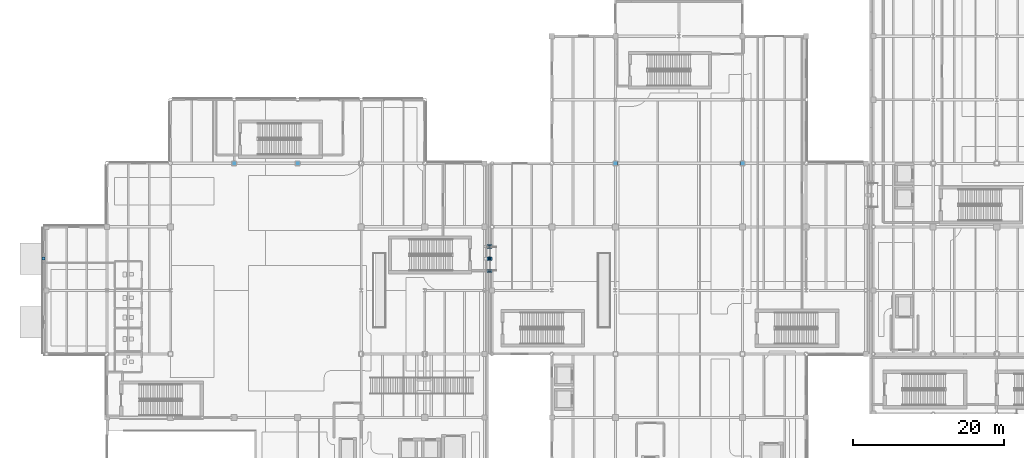
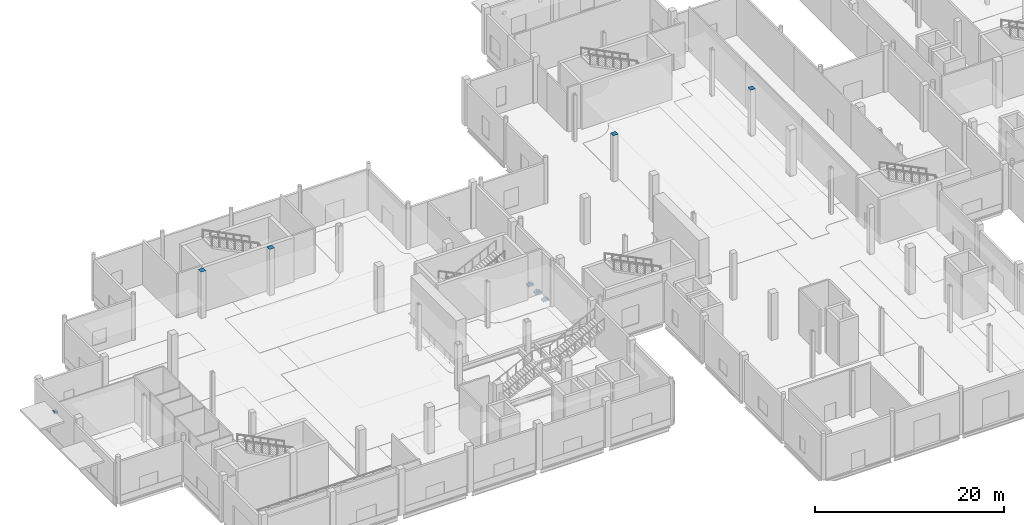
# One storey, part 58 of 85: 11 discrete accessories.
"""IFC4 building model written with IfcOpenShell, lengths in metres."""

from ifc_helpers import new_model, si_unit, direction, frame, origin, origin_2d, place, context, subcontext, project, spatial, rectangle, extrude, material, type_object, element, save


model = new_model("IFC4")

# Units and contexts
model_context = context("Model", 3, precision=1e-05, world=origin(), true_north=direction((0.0, 1.0)))
body_context = subcontext(model_context, "Body", "Model", "MODEL_VIEW")
ifc_project = project(units=[si_unit("LENGTHUNIT", "METRE"), si_unit("AREAUNIT", "SQUARE_METRE"), si_unit("VOLUMEUNIT", "CUBIC_METRE"), si_unit("PLANEANGLEUNIT", "RADIAN"), si_unit("MASSUNIT", "GRAM", prefix="KILO"), si_unit("THERMODYNAMICTEMPERATUREUNIT", "KELVIN")], contexts=[model_context])

# Site, building, storey
site_placement = place(None, origin())
site = spatial("IfcSite", under=ifc_project, at=site_placement, CompositionType="ELEMENT")
building_placement = place(site_placement, origin())
building = spatial("IfcBuilding", under=site, at=building_placement, Name="Lustrewick Department Store", CompositionType="ELEMENT")
storey_placement = place(building_placement, origin())
storey = spatial("IfcBuildingStorey", under=building, at=storey_placement, Name="L01", CompositionType="ELEMENT", Elevation=0.0)

# Discrete accessories
ifc_material_1 = material(Name="Anodized filigree aluminium 6061-T6", Category="aluminium")
discrete_accessory_type_1 = type_object("IfcDiscreteAccessoryType", Name="BRK-FIL", PredefinedType="BRACKET", material=ifc_material_1)
discrete_accessory_placement = place(storey_placement, frame((0.0, 71.39990234375, 4.0), z_axis=(0.0, 0.0, 1.0), x_axis=(0.0, 1.0, 0.0)))
element("IfcDiscreteAccessory", 1, at=discrete_accessory_placement, inside=storey, type_object=discrete_accessory_type_1, Name="L01 Marquise Anchor Bracket 06", PredefinedType="BRACKET", context=body_context, shape_type="SweptSolid", body=[
    extrude(rectangle(XDim=0.39990234375, YDim=0.39990234375, at=origin_2d()), origin(), (0.0, 0.0, 1.0), 0.300048828125),
])
ifc_material_2 = material(Name="Structural steel Q355C", Category="steel")
discrete_accessory_type_2 = type_object("IfcDiscreteAccessoryType", Name="SB-CORBEL", PredefinedType="BRACKET", material=ifc_material_2)
for number, where, z_axis, x_axis, name in (
    (2, (58.949951171875, 69.800048828125, -1.11279296875), (0.0, 0.0, 1.0), (1.0, 0.0, 0.0), "L01 Skybridge SB12 700 mm Bearing Seat Corbel 1"),
    (3, (58.949951171875, 71.39990234375, -1.11279296875), (0.0, 0.0, 1.0), (1.0, 0.0, 0.0), "L01 Skybridge SB12 700 mm Bearing Seat Corbel 2"),
    (4, (58.949951171875, 73.0, -1.11279296875), (0.0, 0.0, 1.0), (1.0, 0.0, 0.0), "L01 Skybridge SB12 700 mm Bearing Seat Corbel 3"),
):
    element("IfcDiscreteAccessory", number, at=place(storey_placement, frame(where, z_axis=z_axis, x_axis=x_axis)), inside=storey, type_object=discrete_accessory_type_2, Name=name, PredefinedType="BRACKET", context=body_context, shape_type="SweptSolid", body=[
        extrude(rectangle(XDim=0.699951171875, YDim=0.47998046875, at=origin_2d()), origin(), (0.0, 0.0, 1.0), 0.219970703125),
    ])
discrete_accessory_type_3 = type_object("IfcDiscreteAccessoryType", Name="SB-PTFE", PredefinedType="BRACKET", material=ifc_material_2)
for number, where, z_axis, x_axis, name in (
    (5, (58.949951171875, 69.800048828125, -0.89306640625), (0.0, 0.0, 1.0), (1.0, 0.0, 0.0), "L01 Skybridge SB12 PTFE Sliding Bearing 1"),
    (6, (58.949951171875, 71.39990234375, -0.89306640625), (0.0, 0.0, 1.0), (1.0, 0.0, 0.0), "L01 Skybridge SB12 PTFE Sliding Bearing 2"),
    (7, (58.949951171875, 73.0, -0.89306640625), (0.0, 0.0, 1.0), (1.0, 0.0, 0.0), "L01 Skybridge SB12 PTFE Sliding Bearing 3"),
):
    element("IfcDiscreteAccessory", number, at=place(storey_placement, frame(where, z_axis=z_axis, x_axis=x_axis)), inside=storey, type_object=discrete_accessory_type_3, Name=name, PredefinedType="BRACKET", context=body_context, shape_type="SweptSolid", body=[
        extrude(rectangle(XDim=0.199951171875, YDim=0.449951171875, at=origin_2d()), origin(), (0.0, 0.0, 1.0), 0.159912109375),
    ])
discrete_accessory_type_4 = type_object("IfcDiscreteAccessoryType", Name="ECP-01", PredefinedType="USERDEFINED", material=ifc_material_2)
for number, where, z_axis, x_axis, name in (
    (8, (92.39990234375, 84.0, 5.993896484375), (0.0, 0.0, 1.0), (1.0, 0.0, 0.0), "L01 Welded Hollow-Section End-Cap Plate ECP-01"),
    (9, (33.60009765625, 84.0, 5.993896484375), (0.0, 0.0, 1.0), (1.0, 0.0, 0.0), "L01 Welded Hollow-Section End-Cap Plate ECP-01"),
    (10, (25.199951171875, 84.0, 5.993896484375), (0.0, 0.0, 1.0), (1.0, 0.0, 0.0), "L01 Welded Hollow-Section End-Cap Plate ECP-01"),
    (11, (75.60009765625, 84.0, 5.993896484375), (0.0, 0.0, 1.0), (1.0, 0.0, 0.0), "L01 Welded Hollow-Section End-Cap Plate ECP-01"),
):
    element("IfcDiscreteAccessory", number, at=place(storey_placement, frame(where, z_axis=z_axis, x_axis=x_axis)), inside=storey, type_object=discrete_accessory_type_4, Name=name, ObjectType="END_CAP_PLATE", PredefinedType="USERDEFINED", context=body_context, shape_type="SweptSolid", body=[
        extrude(rectangle(XDim=0.60009765625, YDim=0.60009765625, at=origin_2d()), origin(), (0.0, 0.0, 1.0), 0.01611328125),
    ])

save(model, "model.ifc")
